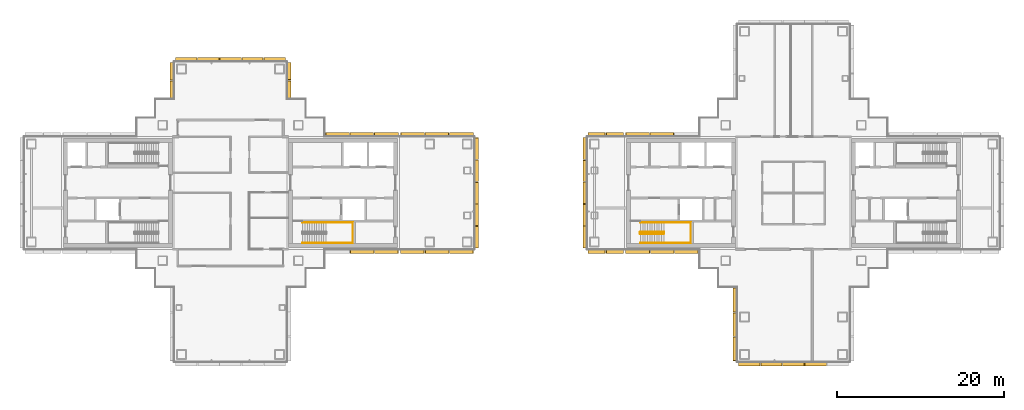
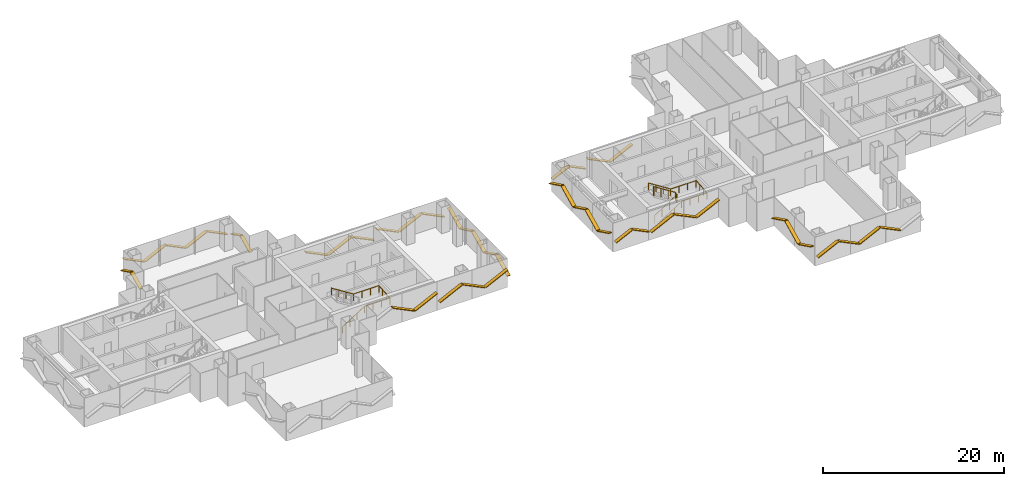
# One storey, part 15 of 16: 46 shading devices, 3 railings.
"""IFC4 building model written with IfcOpenShell, lengths in metres."""

from ifc_helpers import new_model, si_unit, direction, frame, origin, origin_2d, place, context, subcontext, project, spatial, rectangle, circle, extrude, material, material_profile, profile_set, type_object, element, save


model = new_model("IFC4")

# Units and contexts
model_context = context("Model", 3, precision=1e-05, world=origin(), true_north=direction((0.0, 1.0)))
body_context = subcontext(model_context, "Body", "Model", "MODEL_VIEW")
ifc_project = project(units=[si_unit("LENGTHUNIT", "METRE"), si_unit("AREAUNIT", "SQUARE_METRE"), si_unit("VOLUMEUNIT", "CUBIC_METRE"), si_unit("PLANEANGLEUNIT", "RADIAN"), si_unit("MASSUNIT", "GRAM", prefix="KILO")], contexts=[model_context])

# Site, building, storey
site_placement = place(None, origin())
site = spatial("IfcSite", under=ifc_project, at=site_placement, CompositionType="ELEMENT")
building_placement = place(site_placement, origin())
building = spatial("IfcBuilding", under=site, at=building_placement, Name="Shamsa Quay Exchange Towers", CompositionType="ELEMENT")
storey_placement = place(building_placement, frame((0.0, 0.0, 146.699951171875)))
storey = spatial("IfcBuildingStorey", under=building, at=storey_placement, Name="L34", CompositionType="ELEMENT", Elevation=146.699951171875)

# Shading devices
ifc_material_1 = material(Name="Aluminium EN AW-6063 T6, black anodised", Category="aluminium")
ifc_material_profile = material_profile(ifc_material_1, rectangle(XDim=0.449951171875, YDim=0.10009765625, at=origin_2d()), Name="FIN450x100")
ifc_profile_set = profile_set([ifc_material_profile], Name="Aluminium EN AW-6063 T6, black anodised")
shading_device_type = type_object("IfcShadingDeviceType", Name="FIN 450x100 BLACK ALUMINIUM", PredefinedType="USERDEFINED", material=ifc_profile_set)
shading_device_1_placement = place(storey_placement, frame((-19.374755859375, -7.01904296875, 2.27978515625), z_axis=(0.898807785805, 0.0, -0.438342975507), x_axis=(0.0, 1.0, 0.0)))
element("IfcShadingDevice", 1, at=shading_device_1_placement, inside=storey, type_object=shading_device_type, Name="FIN T1 chevron rib", ObjectType="FIN", PredefinedType="USERDEFINED", context=body_context, shape_type="SweptSolid", body=[
    extrude(rectangle(XDim=0.449951171875, YDim=0.10009765625, at=origin_2d()), origin(), (0.0, 0.0, 1.0), 3.10107421875),
])
shading_device_2_placement = place(storey_placement, frame((-16.4873046875, -7.01904296875, 0.908203125), z_axis=(0.898807091918, 0.0, 0.438344398296), x_axis=(0.0, 1.0, 0.0)))
element("IfcShadingDevice", 2, at=shading_device_2_placement, inside=storey, type_object=shading_device_type, Name="FIN T1 chevron rib", ObjectType="FIN", PredefinedType="USERDEFINED", context=body_context, shape_type="SweptSolid", body=[
    extrude(rectangle(XDim=0.449951171875, YDim=0.10009765625, at=origin_2d()), origin(), (0.0, 0.0, 1.0), 3.15673828125),
])
shading_device_3_placement = place(storey_placement, frame((-13.35009765625, -7.014892578125, 0.905029296875), z_axis=(0.898787683167, 0.0, 0.438384192903), x_axis=(0.0, 1.0, 0.0)))
element("IfcShadingDevice", 3, at=shading_device_3_placement, inside=storey, type_object=shading_device_type, Name="FIN T1 chevron rib", ObjectType="FIN", PredefinedType="USERDEFINED", context=body_context, shape_type="SweptSolid", body=[
    extrude(rectangle(XDim=0.449951171875, YDim=0.10009765625, at=origin_2d()), origin(), (0.0, 0.0, 1.0), 3.171142578125),
])
shading_device_4_placement = place(storey_placement, frame((-10.39990234375, -7.014892578125, 2.282958984375), z_axis=(0.898772964899, 0.0, -0.438414367427), x_axis=(0.0, 1.0, 0.0)))
element("IfcShadingDevice", 4, at=shading_device_4_placement, inside=storey, type_object=shading_device_type, Name="FIN T1 chevron rib", ObjectType="FIN", PredefinedType="USERDEFINED", context=body_context, shape_type="SweptSolid", body=[
    extrude(rectangle(XDim=0.449951171875, YDim=0.10009765625, at=origin_2d()), origin(), (0.0, 0.0, 1.0), 3.115234375),
])
shading_device_5_placement = place(storey_placement, frame((-7.5, -7.014892578125, 0.905029296875), z_axis=(0.898787683167, 0.0, 0.438384192903), x_axis=(0.0, 1.0, 0.0)))
element("IfcShadingDevice", 5, at=shading_device_5_placement, inside=storey, type_object=shading_device_type, Name="FIN T1 chevron rib", ObjectType="FIN", PredefinedType="USERDEFINED", context=body_context, shape_type="SweptSolid", body=[
    extrude(rectangle(XDim=0.449951171875, YDim=0.10009765625, at=origin_2d()), origin(), (0.0, 0.0, 1.0), 3.171142578125),
])
shading_device_6_placement = place(storey_placement, frame((-4.235107421875, -6.60009765625, 0.968505859375), z_axis=(0.0, 0.898805897141, 0.43834684813), x_axis=(-1.0, 0.0, 0.0)))
element("IfcShadingDevice", 6, at=shading_device_6_placement, inside=storey, type_object=shading_device_type, Name="FIN T1 chevron rib", ObjectType="FIN", PredefinedType="USERDEFINED", context=body_context, shape_type="SweptSolid", body=[
    extrude(rectangle(XDim=0.449951171875, YDim=0.10009765625, at=origin_2d()), origin(), (0.0, 0.0, 1.0), 2.881591796875),
])
shading_device_7_placement = place(storey_placement, frame((-4.235107421875, -3.909912109375, 2.219482421875), z_axis=(0.0, 0.898790033474, -0.438379374204), x_axis=(-1.0, 0.0, 0.0)))
element("IfcShadingDevice", 7, at=shading_device_7_placement, inside=storey, type_object=shading_device_type, Name="FIN T1 chevron rib", ObjectType="FIN", PredefinedType="USERDEFINED", context=body_context, shape_type="SweptSolid", body=[
    extrude(rectangle(XDim=0.449951171875, YDim=0.10009765625, at=origin_2d()), origin(), (0.0, 0.0, 1.0), 2.82568359375),
])
shading_device_8_placement = place(storey_placement, frame((-4.235107421875, -1.27001953125, 0.980712890625), z_axis=(0.0, 0.898806635049, 0.438345335086), x_axis=(-1.0, 0.0, 0.0)))
element("IfcShadingDevice", 8, at=shading_device_8_placement, inside=storey, type_object=shading_device_type, Name="FIN T1 chevron rib", ObjectType="FIN", PredefinedType="USERDEFINED", context=body_context, shape_type="SweptSolid", body=[
    extrude(rectangle(XDim=0.449951171875, YDim=0.10009765625, at=origin_2d()), origin(), (0.0, 0.0, 1.0), 2.825927734375),
])
shading_device_9_placement = place(storey_placement, frame((-4.235107421875, 1.3701171875, 2.219482421875), z_axis=(0.0, 0.898790033474, -0.438379374204), x_axis=(-1.0, 0.0, 0.0)))
element("IfcShadingDevice", 9, at=shading_device_9_placement, inside=storey, type_object=shading_device_type, Name="FIN T1 chevron rib", ObjectType="FIN", PredefinedType="USERDEFINED", context=body_context, shape_type="SweptSolid", body=[
    extrude(rectangle(XDim=0.449951171875, YDim=0.10009765625, at=origin_2d()), origin(), (0.0, 0.0, 1.0), 2.82568359375),
])
shading_device_10_placement = place(storey_placement, frame((-4.235107421875, 4.010009765625, 0.968505859375), z_axis=(0.0, 0.898805897141, 0.43834684813), x_axis=(-1.0, 0.0, 0.0)))
element("IfcShadingDevice", 10, at=shading_device_10_placement, inside=storey, type_object=shading_device_type, Name="FIN T1 chevron rib", ObjectType="FIN", PredefinedType="USERDEFINED", context=body_context, shape_type="SweptSolid", body=[
    extrude(rectangle(XDim=0.449951171875, YDim=0.10009765625, at=origin_2d()), origin(), (0.0, 0.0, 1.0), 2.881591796875),
])
shading_device_11_placement = place(storey_placement, frame((-4.64990234375, 7.014892578125, 0.905029296875), z_axis=(-0.898787683167, 0.0, 0.438384192903), x_axis=(0.0, -1.0, 0.0)))
element("IfcShadingDevice", 11, at=shading_device_11_placement, inside=storey, type_object=shading_device_type, Name="FIN T1 chevron rib", ObjectType="FIN", PredefinedType="USERDEFINED", context=body_context, shape_type="SweptSolid", body=[
    extrude(rectangle(XDim=0.449951171875, YDim=0.10009765625, at=origin_2d()), origin(), (0.0, 0.0, 1.0), 3.171142578125),
])
shading_device_12_placement = place(storey_placement, frame((-7.60009765625, 7.014892578125, 2.282958984375), z_axis=(-0.898772964899, 0.0, -0.438414367427), x_axis=(0.0, -1.0, 0.0)))
element("IfcShadingDevice", 12, at=shading_device_12_placement, inside=storey, type_object=shading_device_type, Name="FIN T1 chevron rib", ObjectType="FIN", PredefinedType="USERDEFINED", context=body_context, shape_type="SweptSolid", body=[
    extrude(rectangle(XDim=0.449951171875, YDim=0.10009765625, at=origin_2d()), origin(), (0.0, 0.0, 1.0), 3.115234375),
])
for number, where, z_axis, x_axis, name in (
    (13, (-10.5, 7.014892578125, 0.905029296875), (-0.898787683167, 0.0, 0.438384192903), (0.0, -1.0, 0.0), "FIN T1 chevron rib"),
    (14, (-13.64990234375, 7.01904296875, 0.905029296875), (-0.898787683167, 0.0, 0.438384192903), (0.0, -1.0, 0.0), "FIN T1 chevron rib"),
):
    element("IfcShadingDevice", number, at=place(storey_placement, frame(where, z_axis=z_axis, x_axis=x_axis)), inside=storey, type_object=shading_device_type, Name=name, ObjectType="FIN", PredefinedType="USERDEFINED", context=body_context, shape_type="SweptSolid", body=[
        extrude(rectangle(XDim=0.449951171875, YDim=0.10009765625, at=origin_2d()), origin(), (0.0, 0.0, 1.0), 3.171142578125),
    ])
shading_device_13_placement = place(storey_placement, frame((-16.60009765625, 7.01904296875, 2.282958984375), z_axis=(-0.898772964899, 0.0, -0.438414367427), x_axis=(0.0, -1.0, 0.0)))
element("IfcShadingDevice", 15, at=shading_device_13_placement, inside=storey, type_object=shading_device_type, Name="FIN T1 chevron rib", ObjectType="FIN", PredefinedType="USERDEFINED", context=body_context, shape_type="SweptSolid", body=[
    extrude(rectangle(XDim=0.449951171875, YDim=0.10009765625, at=origin_2d()), origin(), (0.0, 0.0, 1.0), 3.115234375),
])
shading_device_14_placement = place(storey_placement, frame((-19.5, 7.01904296875, 0.905029296875), z_axis=(-0.898787683167, 0.0, 0.438384192903), x_axis=(0.0, -1.0, 0.0)))
element("IfcShadingDevice", 16, at=shading_device_14_placement, inside=storey, type_object=shading_device_type, Name="FIN T1 chevron rib", ObjectType="FIN", PredefinedType="USERDEFINED", context=body_context, shape_type="SweptSolid", body=[
    extrude(rectangle(XDim=0.449951171875, YDim=0.10009765625, at=origin_2d()), origin(), (0.0, 0.0, 1.0), 3.171142578125),
])
for number, where, z_axis, x_axis, name in (
    (17, (-26.735107421875, 11.43798828125, 1.104736328125), (0.0, 0.898770522295, 0.438419374861), (-1.0, 0.0, 0.0), "FIN T1 chevron rib"),
    (18, (-26.735107421875, 13.569091796875, 2.095458984375), (0.0, 0.898770522295, -0.438419374861), (-1.0, 0.0, 0.0), "FIN T1 chevron rib"),
):
    element("IfcShadingDevice", number, at=place(storey_placement, frame(where, z_axis=z_axis, x_axis=x_axis)), inside=storey, type_object=shading_device_type, Name=name, ObjectType="FIN", PredefinedType="USERDEFINED", context=body_context, shape_type="SweptSolid", body=[
        extrude(rectangle(XDim=0.449951171875, YDim=0.10009765625, at=origin_2d()), origin(), (0.0, 0.0, 1.0), 2.259765625),
    ])
shading_device_15_placement = place(storey_placement, frame((-27.14990234375, 16.014892578125, 0.968505859375), z_axis=(-0.898805897141, 0.0, 0.43834684813), x_axis=(0.0, -1.0, 0.0)))
element("IfcShadingDevice", 19, at=shading_device_15_placement, inside=storey, type_object=shading_device_type, Name="FIN T1 chevron rib", ObjectType="FIN", PredefinedType="USERDEFINED", context=body_context, shape_type="SweptSolid", body=[
    extrude(rectangle(XDim=0.449951171875, YDim=0.10009765625, at=origin_2d()), origin(), (0.0, 0.0, 1.0), 2.881591796875),
])
shading_device_16_placement = place(storey_placement, frame((-29.840087890625, 16.014892578125, 2.219482421875), z_axis=(-0.898790033474, 0.0, -0.438379374204), x_axis=(0.0, -1.0, 0.0)))
element("IfcShadingDevice", 20, at=shading_device_16_placement, inside=storey, type_object=shading_device_type, Name="FIN T1 chevron rib", ObjectType="FIN", PredefinedType="USERDEFINED", context=body_context, shape_type="SweptSolid", body=[
    extrude(rectangle(XDim=0.449951171875, YDim=0.10009765625, at=origin_2d()), origin(), (0.0, 0.0, 1.0), 2.82568359375),
])
shading_device_17_placement = place(storey_placement, frame((-32.47998046875, 16.014892578125, 0.980712890625), z_axis=(-0.898806635049, 0.0, 0.438345335086), x_axis=(0.0, -1.0, 0.0)))
element("IfcShadingDevice", 21, at=shading_device_17_placement, inside=storey, type_object=shading_device_type, Name="FIN T1 chevron rib", ObjectType="FIN", PredefinedType="USERDEFINED", context=body_context, shape_type="SweptSolid", body=[
    extrude(rectangle(XDim=0.449951171875, YDim=0.10009765625, at=origin_2d()), origin(), (0.0, 0.0, 1.0), 2.825927734375),
])
shading_device_18_placement = place(storey_placement, frame((-35.1201171875, 16.014892578125, 2.219482421875), z_axis=(-0.898790033474, 0.0, -0.438379374204), x_axis=(0.0, -1.0, 0.0)))
element("IfcShadingDevice", 22, at=shading_device_18_placement, inside=storey, type_object=shading_device_type, Name="FIN T1 chevron rib", ObjectType="FIN", PredefinedType="USERDEFINED", context=body_context, shape_type="SweptSolid", body=[
    extrude(rectangle(XDim=0.449951171875, YDim=0.10009765625, at=origin_2d()), origin(), (0.0, 0.0, 1.0), 2.82568359375),
])
shading_device_19_placement = place(storey_placement, frame((-37.760009765625, 16.014892578125, 0.968505859375), z_axis=(-0.898805897141, 0.0, 0.43834684813), x_axis=(0.0, -1.0, 0.0)))
element("IfcShadingDevice", 23, at=shading_device_19_placement, inside=storey, type_object=shading_device_type, Name="FIN T1 chevron rib", ObjectType="FIN", PredefinedType="USERDEFINED", context=body_context, shape_type="SweptSolid", body=[
    extrude(rectangle(XDim=0.449951171875, YDim=0.10009765625, at=origin_2d()), origin(), (0.0, 0.0, 1.0), 2.881591796875),
])
for number, where, z_axis, x_axis, name in (
    (24, (-40.764892578125, 15.60009765625, 1.10009765625), (0.0, -0.898814733754, 0.43832872868), (1.0, 0.0, 0.0), "FIN T1 chevron rib"),
    (25, (-40.764892578125, 13.449951171875, 2.099853515625), (0.0, -0.898814733754, -0.43832872868), (1.0, 0.0, 0.0), "FIN T1 chevron rib"),
):
    element("IfcShadingDevice", number, at=place(storey_placement, frame(where, z_axis=z_axis, x_axis=x_axis)), inside=storey, type_object=shading_device_type, Name=name, ObjectType="FIN", PredefinedType="USERDEFINED", context=body_context, shape_type="SweptSolid", body=[
        extrude(rectangle(XDim=0.449951171875, YDim=0.10009765625, at=origin_2d()), origin(), (0.0, 0.0, 1.0), 2.28076171875),
    ])
shading_device_20_placement = place(storey_placement, frame((19.374755859375, 7.01904296875, 2.27978515625), z_axis=(-0.898807785805, 0.0, -0.438342975507), x_axis=(0.0, -1.0, 0.0)))
element("IfcShadingDevice", 26, at=shading_device_20_placement, inside=storey, type_object=shading_device_type, Name="FIN T2 chevron rib", ObjectType="FIN", PredefinedType="USERDEFINED", context=body_context, shape_type="SweptSolid", body=[
    extrude(rectangle(XDim=0.449951171875, YDim=0.10009765625, at=origin_2d()), origin(), (0.0, 0.0, 1.0), 3.10107421875),
])
shading_device_21_placement = place(storey_placement, frame((16.4873046875, 7.01904296875, 0.908203125), z_axis=(-0.898807091918, 0.0, 0.438344398296), x_axis=(0.0, -1.0, 0.0)))
element("IfcShadingDevice", 27, at=shading_device_21_placement, inside=storey, type_object=shading_device_type, Name="FIN T2 chevron rib", ObjectType="FIN", PredefinedType="USERDEFINED", context=body_context, shape_type="SweptSolid", body=[
    extrude(rectangle(XDim=0.449951171875, YDim=0.10009765625, at=origin_2d()), origin(), (0.0, 0.0, 1.0), 3.15673828125),
])
for number, where, z_axis, x_axis, name in (
    (28, (13.35009765625, 7.014892578125, 1.10009765625), (-0.898814733754, 0.0, 0.43832872868), (0.0, -1.0, 0.0), "FIN T2 chevron rib"),
    (29, (11.199951171875, 7.014892578125, 2.099853515625), (-0.898814733754, 0.0, -0.43832872868), (0.0, -1.0, 0.0), "FIN T2 chevron rib"),
):
    element("IfcShadingDevice", number, at=place(storey_placement, frame(where, z_axis=z_axis, x_axis=x_axis)), inside=storey, type_object=shading_device_type, Name=name, ObjectType="FIN", PredefinedType="USERDEFINED", context=body_context, shape_type="SweptSolid", body=[
        extrude(rectangle(XDim=0.449951171875, YDim=0.10009765625, at=origin_2d()), origin(), (0.0, 0.0, 1.0), 2.28076171875),
    ])
shading_device_22_placement = place(storey_placement, frame((8.735107421875, 6.60009765625, 0.968505859375), z_axis=(0.0, -0.898805897141, 0.43834684813), x_axis=(1.0, 0.0, 0.0)))
element("IfcShadingDevice", 30, at=shading_device_22_placement, inside=storey, type_object=shading_device_type, Name="FIN T2 chevron rib", ObjectType="FIN", PredefinedType="USERDEFINED", context=body_context, shape_type="SweptSolid", body=[
    extrude(rectangle(XDim=0.449951171875, YDim=0.10009765625, at=origin_2d()), origin(), (0.0, 0.0, 1.0), 2.881591796875),
])
shading_device_23_placement = place(storey_placement, frame((8.735107421875, 3.909912109375, 2.219482421875), z_axis=(0.0, -0.898790033474, -0.438379374204), x_axis=(1.0, 0.0, 0.0)))
element("IfcShadingDevice", 31, at=shading_device_23_placement, inside=storey, type_object=shading_device_type, Name="FIN T2 chevron rib", ObjectType="FIN", PredefinedType="USERDEFINED", context=body_context, shape_type="SweptSolid", body=[
    extrude(rectangle(XDim=0.449951171875, YDim=0.10009765625, at=origin_2d()), origin(), (0.0, 0.0, 1.0), 2.82568359375),
])
shading_device_24_placement = place(storey_placement, frame((8.735107421875, 1.27001953125, 0.980712890625), z_axis=(0.0, -0.898806635049, 0.438345335086), x_axis=(1.0, 0.0, 0.0)))
element("IfcShadingDevice", 32, at=shading_device_24_placement, inside=storey, type_object=shading_device_type, Name="FIN T2 chevron rib", ObjectType="FIN", PredefinedType="USERDEFINED", context=body_context, shape_type="SweptSolid", body=[
    extrude(rectangle(XDim=0.449951171875, YDim=0.10009765625, at=origin_2d()), origin(), (0.0, 0.0, 1.0), 2.825927734375),
])
shading_device_25_placement = place(storey_placement, frame((8.735107421875, -1.3701171875, 2.219482421875), z_axis=(0.0, -0.898790033474, -0.438379374204), x_axis=(1.0, 0.0, 0.0)))
element("IfcShadingDevice", 33, at=shading_device_25_placement, inside=storey, type_object=shading_device_type, Name="FIN T2 chevron rib", ObjectType="FIN", PredefinedType="USERDEFINED", context=body_context, shape_type="SweptSolid", body=[
    extrude(rectangle(XDim=0.449951171875, YDim=0.10009765625, at=origin_2d()), origin(), (0.0, 0.0, 1.0), 2.82568359375),
])
shading_device_26_placement = place(storey_placement, frame((8.735107421875, -4.010009765625, 0.968505859375), z_axis=(0.0, -0.898805897141, 0.43834684813), x_axis=(1.0, 0.0, 0.0)))
element("IfcShadingDevice", 34, at=shading_device_26_placement, inside=storey, type_object=shading_device_type, Name="FIN T2 chevron rib", ObjectType="FIN", PredefinedType="USERDEFINED", context=body_context, shape_type="SweptSolid", body=[
    extrude(rectangle(XDim=0.449951171875, YDim=0.10009765625, at=origin_2d()), origin(), (0.0, 0.0, 1.0), 2.881591796875),
])
for number, where, z_axis, x_axis, name in (
    (35, (9.14990234375, -7.014892578125, 1.10009765625), (0.898814733754, 0.0, 0.43832872868), (0.0, 1.0, 0.0), "FIN T2 chevron rib"),
    (36, (11.300048828125, -7.014892578125, 2.099853515625), (0.898814733754, 0.0, -0.43832872868), (0.0, 1.0, 0.0), "FIN T2 chevron rib"),
):
    element("IfcShadingDevice", number, at=place(storey_placement, frame(where, z_axis=z_axis, x_axis=x_axis)), inside=storey, type_object=shading_device_type, Name=name, ObjectType="FIN", PredefinedType="USERDEFINED", context=body_context, shape_type="SweptSolid", body=[
        extrude(rectangle(XDim=0.449951171875, YDim=0.10009765625, at=origin_2d()), origin(), (0.0, 0.0, 1.0), 2.28076171875),
    ])
shading_device_27_placement = place(storey_placement, frame((13.64990234375, -7.01904296875, 0.905029296875), z_axis=(0.898787683167, 0.0, 0.438384192903), x_axis=(0.0, 1.0, 0.0)))
element("IfcShadingDevice", 37, at=shading_device_27_placement, inside=storey, type_object=shading_device_type, Name="FIN T2 chevron rib", ObjectType="FIN", PredefinedType="USERDEFINED", context=body_context, shape_type="SweptSolid", body=[
    extrude(rectangle(XDim=0.449951171875, YDim=0.10009765625, at=origin_2d()), origin(), (0.0, 0.0, 1.0), 3.171142578125),
])
shading_device_28_placement = place(storey_placement, frame((16.60009765625, -7.01904296875, 2.282958984375), z_axis=(0.898772964899, 0.0, -0.438414367427), x_axis=(0.0, 1.0, 0.0)))
element("IfcShadingDevice", 38, at=shading_device_28_placement, inside=storey, type_object=shading_device_type, Name="FIN T2 chevron rib", ObjectType="FIN", PredefinedType="USERDEFINED", context=body_context, shape_type="SweptSolid", body=[
    extrude(rectangle(XDim=0.449951171875, YDim=0.10009765625, at=origin_2d()), origin(), (0.0, 0.0, 1.0), 3.115234375),
])
shading_device_29_placement = place(storey_placement, frame((19.5, -7.01904296875, 0.905029296875), z_axis=(0.898787683167, 0.0, 0.438384192903), x_axis=(0.0, 1.0, 0.0)))
element("IfcShadingDevice", 39, at=shading_device_29_placement, inside=storey, type_object=shading_device_type, Name="FIN T2 chevron rib", ObjectType="FIN", PredefinedType="USERDEFINED", context=body_context, shape_type="SweptSolid", body=[
    extrude(rectangle(XDim=0.449951171875, YDim=0.10009765625, at=origin_2d()), origin(), (0.0, 0.0, 1.0), 3.171142578125),
])
shading_device_30_placement = place(storey_placement, frame((26.735107421875, -11.43798828125, 0.908203125), z_axis=(0.0, -0.898807091918, 0.438344398296), x_axis=(1.0, 0.0, 0.0)))
element("IfcShadingDevice", 40, at=shading_device_30_placement, inside=storey, type_object=shading_device_type, Name="FIN T2 chevron rib", ObjectType="FIN", PredefinedType="USERDEFINED", context=body_context, shape_type="SweptSolid", body=[
    extrude(rectangle(XDim=0.449951171875, YDim=0.10009765625, at=origin_2d()), origin(), (0.0, 0.0, 1.0), 3.15673828125),
])
shading_device_31_placement = place(storey_placement, frame((26.735107421875, -14.375244140625, 2.27978515625), z_axis=(0.0, -0.898807785805, -0.438342975507), x_axis=(1.0, 0.0, 0.0)))
element("IfcShadingDevice", 41, at=shading_device_31_placement, inside=storey, type_object=shading_device_type, Name="FIN T2 chevron rib", ObjectType="FIN", PredefinedType="USERDEFINED", context=body_context, shape_type="SweptSolid", body=[
    extrude(rectangle(XDim=0.449951171875, YDim=0.10009765625, at=origin_2d()), origin(), (0.0, 0.0, 1.0), 3.10107421875),
])
shading_device_32_placement = place(storey_placement, frame((26.735107421875, -17.2626953125, 0.908203125), z_axis=(0.0, -0.898807091918, 0.438344398296), x_axis=(1.0, 0.0, 0.0)))
element("IfcShadingDevice", 42, at=shading_device_32_placement, inside=storey, type_object=shading_device_type, Name="FIN T2 chevron rib", ObjectType="FIN", PredefinedType="USERDEFINED", context=body_context, shape_type="SweptSolid", body=[
    extrude(rectangle(XDim=0.449951171875, YDim=0.10009765625, at=origin_2d()), origin(), (0.0, 0.0, 1.0), 3.15673828125),
])
shading_device_33_placement = place(storey_placement, frame((27.14990234375, -20.514892578125, 0.968505859375), z_axis=(0.898805897141, 0.0, 0.43834684813), x_axis=(0.0, 1.0, 0.0)))
element("IfcShadingDevice", 43, at=shading_device_33_placement, inside=storey, type_object=shading_device_type, Name="FIN T2 chevron rib", ObjectType="FIN", PredefinedType="USERDEFINED", context=body_context, shape_type="SweptSolid", body=[
    extrude(rectangle(XDim=0.449951171875, YDim=0.10009765625, at=origin_2d()), origin(), (0.0, 0.0, 1.0), 2.881591796875),
])
shading_device_34_placement = place(storey_placement, frame((29.840087890625, -20.514892578125, 2.219482421875), z_axis=(0.898790033474, 0.0, -0.438379374204), x_axis=(0.0, 1.0, 0.0)))
element("IfcShadingDevice", 44, at=shading_device_34_placement, inside=storey, type_object=shading_device_type, Name="FIN T2 chevron rib", ObjectType="FIN", PredefinedType="USERDEFINED", context=body_context, shape_type="SweptSolid", body=[
    extrude(rectangle(XDim=0.449951171875, YDim=0.10009765625, at=origin_2d()), origin(), (0.0, 0.0, 1.0), 2.82568359375),
])
shading_device_35_placement = place(storey_placement, frame((32.47998046875, -20.514892578125, 0.980712890625), z_axis=(0.898806635049, 0.0, 0.438345335086), x_axis=(0.0, 1.0, 0.0)))
element("IfcShadingDevice", 45, at=shading_device_35_placement, inside=storey, type_object=shading_device_type, Name="FIN T2 chevron rib", ObjectType="FIN", PredefinedType="USERDEFINED", context=body_context, shape_type="SweptSolid", body=[
    extrude(rectangle(XDim=0.449951171875, YDim=0.10009765625, at=origin_2d()), origin(), (0.0, 0.0, 1.0), 2.825927734375),
])
shading_device_36_placement = place(storey_placement, frame((35.1201171875, -20.514892578125, 2.219482421875), z_axis=(0.898790033474, 0.0, -0.438379374204), x_axis=(0.0, 1.0, 0.0)))
element("IfcShadingDevice", 46, at=shading_device_36_placement, inside=storey, type_object=shading_device_type, Name="FIN T2 chevron rib", ObjectType="FIN", PredefinedType="USERDEFINED", context=body_context, shape_type="SweptSolid", body=[
    extrude(rectangle(XDim=0.449951171875, YDim=0.10009765625, at=origin_2d()), origin(), (0.0, 0.0, 1.0), 2.82568359375),
])

# Railings
ifc_material_2 = material(Name="Stainless steel", Category="steel")
railing_type_1 = type_object("IfcRailingType", Name="STAIR GUARD 1100", PredefinedType="GUARDRAIL", material=ifc_material_2)
railing_1_placement = place(storey_placement, frame((15.39990234375, -4.89990234375, 0.17724609375)))
element("IfcRailing", 47, at=railing_1_placement, inside=storey, type_object=railing_type_1, Name="L34 ST4 stair guard 1", PredefinedType="GUARDRAIL", context=body_context, shape_type="SweptSolid", body=[
    extrude(circle(Radius=0.02392578125, at=origin_2d()), frame((0.0, 0.0, 1.076171875), z_axis=(0.844908973607, 0.0, 0.534910110503), x_axis=(0.0, 1.0, 0.0)), (0.0, 0.0, 1.0), 3.31396484375),
    extrude(circle(Radius=0.02392578125, at=origin_2d()), frame((2.800048828125, 0.0, 2.8486328125), z_axis=(0.708833529934, 0.705375805398, 0.0), x_axis=(-0.705375805398, 0.708833529934, 0.0)), (0.0, 0.0, 1.0), 0.070556640625),
    extrude(circle(Radius=0.02392578125, at=origin_2d()), frame((2.85009765625, 0.0498046875, 2.8486328125), z_axis=(0.0, 1.0, 0.0), x_axis=(-1.0, 0.0, 0.0)), (0.0, 0.0, 1.0), 0.150146484375),
    extrude(circle(Radius=0.02392578125, at=origin_2d()), frame((2.85009765625, 0.199951171875, 2.8486328125), z_axis=(-0.261922500866, 0.261922500866, 0.928866625022), x_axis=(-0.707106781187, -0.707106781187, 0.0)), (0.0, 0.0, 1.0), 0.191162109375),
    extrude(circle(Radius=0.02392578125, at=origin_2d()), frame((2.800048828125, 0.25, 3.0263671875), z_axis=(-0.844908973607, 0.0, 0.534910110503), x_axis=(0.0, -1.0, 0.0)), (0.0, 0.0, 1.0), 3.31396484375),
    extrude(circle(Radius=0.02392578125, at=origin_2d()), frame((0.0, 0.25, 4.798828125), z_axis=(-0.24142163986, -0.970420317083, 0.0), x_axis=(0.970420317083, -0.24142163986, 0.0)), (0.0, 0.0, 1.0), 0.206298828125),
    extrude(circle(Radius=0.02392578125, at=origin_2d()), frame((-0.0498046875, 0.0498046875, 4.798828125), z_axis=(0.0, 1.0, 0.0), x_axis=(-1.0, 0.0, 0.0)), (0.0, 0.0, 1.0), 0.150146484375),
    extrude(circle(Radius=0.02099609375, at=origin_2d()), origin(), (0.0, 0.0, 1.0), 1.052001953125),
    extrude(circle(Radius=0.02099609375, at=origin_2d()), frame((0.933349609375, 0.0, 0.5908203125)), (0.0, 0.0, 1.0), 1.052001953125),
    extrude(circle(Radius=0.02099609375, at=origin_2d()), frame((1.86669921875, 0.0, 1.181884765625)), (0.0, 0.0, 1.0), 1.052001953125),
    extrude(circle(Radius=0.02099609375, at=origin_2d()), frame((2.800048828125, 0.0, 1.772705078125)), (0.0, 0.0, 1.0), 1.052001953125),
    extrude(circle(Radius=0.02099609375, at=origin_2d()), frame((2.85009765625, 0.0498046875, 1.772705078125)), (0.0, 0.0, 1.0), 1.052001953125),
    extrude(circle(Radius=0.02099609375, at=origin_2d()), frame((2.85009765625, 0.199951171875, 1.772705078125)), (0.0, 0.0, 1.0), 1.052001953125),
    extrude(circle(Radius=0.02099609375, at=origin_2d()), frame((2.800048828125, 0.25, 1.9501953125)), (0.0, 0.0, 1.0), 1.052001953125),
    extrude(circle(Radius=0.02099609375, at=origin_2d()), frame((1.86669921875, 0.25, 2.541015625)), (0.0, 0.0, 1.0), 1.052001953125),
    extrude(circle(Radius=0.02099609375, at=origin_2d()), frame((0.933349609375, 0.25, 3.132080078125)), (0.0, 0.0, 1.0), 1.052001953125),
    extrude(circle(Radius=0.02099609375, at=origin_2d()), frame((0.0, 0.25, 3.722900390625)), (0.0, 0.0, 1.0), 1.052001953125),
    extrude(circle(Radius=0.02099609375, at=origin_2d()), frame((-0.0498046875, 0.0498046875, 3.722900390625)), (0.0, 0.0, 1.0), 1.052001953125),
    extrude(circle(Radius=0.02099609375, at=origin_2d()), frame((-0.0498046875, 0.199951171875, 3.722900390625)), (0.0, 0.0, 1.0), 1.052001953125),
])
railing_type_2 = type_object("IfcRailingType", Name="STAIR HANDRAIL 900", PredefinedType="HANDRAIL", material=ifc_material_2)
railing_2_placement = place(storey_placement, frame((-25.10009765625, -6.0, 0.17724609375)))
element("IfcRailing", 48, at=railing_2_placement, inside=storey, type_object=railing_type_2, Name="L34 ST1 stair handrail 1", PredefinedType="HANDRAIL", context=body_context, shape_type="SweptSolid", body=[
    extrude(circle(Radius=0.02392578125, at=origin_2d()), frame((0.0, 0.0, 0.8759765625), z_axis=(0.844908973607, 0.0, 0.534910110503), x_axis=(0.0, 1.0, 0.0)), (0.0, 0.0, 1.0), 3.31396484375),
    extrude(circle(Radius=0.02392578125, at=origin_2d()), frame((2.800048828125, 0.0, 2.6484375), z_axis=(1.0, 0.0, 0.0), x_axis=(0.0, 1.0, 0.0)), (0.0, 0.0, 1.0), 3.25),
    extrude(circle(Radius=0.02392578125, at=origin_2d()), frame((6.050048828125, 0.0, 2.6484375), z_axis=(0.0, 0.997386041853, 0.072257065513), x_axis=(-1.0, 0.0, 0.0)), (0.0, 0.0, 1.0), 2.456298828125),
    extrude(circle(Radius=0.02392578125, at=origin_2d()), frame((6.050048828125, 2.449951171875, 2.826171875), z_axis=(-1.0, 0.0, 0.0), x_axis=(0.0, -1.0, 0.0)), (0.0, 0.0, 1.0), 3.25),
    extrude(circle(Radius=0.02392578125, at=origin_2d()), frame((2.800048828125, 2.449951171875, 2.826171875), z_axis=(-0.844908973607, 0.0, 0.534910110503), x_axis=(0.0, -1.0, 0.0)), (0.0, 0.0, 1.0), 3.31396484375),
    extrude(circle(Radius=0.02099609375, at=origin_2d()), origin(), (0.0, 0.0, 1.0), 0.851806640625),
    extrude(circle(Radius=0.02099609375, at=origin_2d()), frame((0.933349609375, 0.0, 0.5908203125)), (0.0, 0.0, 1.0), 0.851806640625),
    extrude(circle(Radius=0.02099609375, at=origin_2d()), frame((1.86669921875, 0.0, 1.181884765625)), (0.0, 0.0, 1.0), 0.851806640625),
    extrude(circle(Radius=0.02099609375, at=origin_2d()), frame((2.800048828125, 0.0, 1.772705078125)), (0.0, 0.0, 1.0), 0.851806640625),
    extrude(circle(Radius=0.02099609375, at=origin_2d()), frame((3.88330078125, 0.0, 1.772705078125)), (0.0, 0.0, 1.0), 0.851806640625),
    extrude(circle(Radius=0.02099609375, at=origin_2d()), frame((4.966796875, 0.0, 1.772705078125)), (0.0, 0.0, 1.0), 0.851806640625),
    extrude(circle(Radius=0.02099609375, at=origin_2d()), frame((6.050048828125, 0.0, 1.772705078125)), (0.0, 0.0, 1.0), 0.851806640625),
    extrude(circle(Radius=0.02099609375, at=origin_2d()), frame((6.050048828125, 0.816650390625, 1.831787109375)), (0.0, 0.0, 1.0), 0.851806640625),
    extrude(circle(Radius=0.02099609375, at=origin_2d()), frame((6.050048828125, 1.63330078125, 1.89111328125)), (0.0, 0.0, 1.0), 0.851806640625),
    extrude(circle(Radius=0.02099609375, at=origin_2d()), frame((6.050048828125, 2.449951171875, 1.9501953125)), (0.0, 0.0, 1.0), 0.851806640625),
    extrude(circle(Radius=0.02099609375, at=origin_2d()), frame((4.966796875, 2.449951171875, 1.9501953125)), (0.0, 0.0, 1.0), 0.851806640625),
    extrude(circle(Radius=0.02099609375, at=origin_2d()), frame((3.88330078125, 2.449951171875, 1.9501953125)), (0.0, 0.0, 1.0), 0.851806640625),
    extrude(circle(Radius=0.02099609375, at=origin_2d()), frame((2.800048828125, 2.449951171875, 1.9501953125)), (0.0, 0.0, 1.0), 0.851806640625),
    extrude(circle(Radius=0.02099609375, at=origin_2d()), frame((1.86669921875, 2.449951171875, 2.541015625)), (0.0, 0.0, 1.0), 0.851806640625),
    extrude(circle(Radius=0.02099609375, at=origin_2d()), frame((0.933349609375, 2.449951171875, 3.132080078125)), (0.0, 0.0, 1.0), 0.851806640625),
    extrude(circle(Radius=0.02099609375, at=origin_2d()), frame((0.0, 2.449951171875, 3.722900390625)), (0.0, 0.0, 1.0), 0.851806640625),
])
railing_3_placement = place(storey_placement, frame((15.39990234375, -6.0, 0.17724609375)))
element("IfcRailing", 49, at=railing_3_placement, inside=storey, type_object=railing_type_2, Name="L34 ST4 stair handrail 1", PredefinedType="HANDRAIL", context=body_context, shape_type="SweptSolid", body=[
    extrude(circle(Radius=0.02392578125, at=origin_2d()), frame((0.0, 0.0, 0.8759765625), z_axis=(0.844908973607, 0.0, 0.534910110503), x_axis=(0.0, 1.0, 0.0)), (0.0, 0.0, 1.0), 3.31396484375),
    extrude(circle(Radius=0.02392578125, at=origin_2d()), frame((2.800048828125, 0.0, 2.6484375), z_axis=(1.0, 0.0, 0.0), x_axis=(0.0, 1.0, 0.0)), (0.0, 0.0, 1.0), 3.25),
    extrude(circle(Radius=0.02392578125, at=origin_2d()), frame((6.050048828125, 0.0, 2.6484375), z_axis=(0.0, 0.997386041853, 0.072257065513), x_axis=(-1.0, 0.0, 0.0)), (0.0, 0.0, 1.0), 2.456298828125),
    extrude(circle(Radius=0.02392578125, at=origin_2d()), frame((6.050048828125, 2.449951171875, 2.826171875), z_axis=(-1.0, 0.0, 0.0), x_axis=(0.0, -1.0, 0.0)), (0.0, 0.0, 1.0), 3.25),
    extrude(circle(Radius=0.02392578125, at=origin_2d()), frame((2.800048828125, 2.449951171875, 2.826171875), z_axis=(-0.844908973607, 0.0, 0.534910110503), x_axis=(0.0, -1.0, 0.0)), (0.0, 0.0, 1.0), 3.31396484375),
    extrude(circle(Radius=0.02099609375, at=origin_2d()), origin(), (0.0, 0.0, 1.0), 0.851806640625),
    extrude(circle(Radius=0.02099609375, at=origin_2d()), frame((0.933349609375, 0.0, 0.5908203125)), (0.0, 0.0, 1.0), 0.851806640625),
    extrude(circle(Radius=0.02099609375, at=origin_2d()), frame((1.86669921875, 0.0, 1.181884765625)), (0.0, 0.0, 1.0), 0.851806640625),
    extrude(circle(Radius=0.02099609375, at=origin_2d()), frame((2.800048828125, 0.0, 1.772705078125)), (0.0, 0.0, 1.0), 0.851806640625),
    extrude(circle(Radius=0.02099609375, at=origin_2d()), frame((3.88330078125, 0.0, 1.772705078125)), (0.0, 0.0, 1.0), 0.851806640625),
    extrude(circle(Radius=0.02099609375, at=origin_2d()), frame((4.966796875, 0.0, 1.772705078125)), (0.0, 0.0, 1.0), 0.851806640625),
    extrude(circle(Radius=0.02099609375, at=origin_2d()), frame((6.050048828125, 0.0, 1.772705078125)), (0.0, 0.0, 1.0), 0.851806640625),
    extrude(circle(Radius=0.02099609375, at=origin_2d()), frame((6.050048828125, 0.816650390625, 1.831787109375)), (0.0, 0.0, 1.0), 0.851806640625),
    extrude(circle(Radius=0.02099609375, at=origin_2d()), frame((6.050048828125, 1.63330078125, 1.89111328125)), (0.0, 0.0, 1.0), 0.851806640625),
    extrude(circle(Radius=0.02099609375, at=origin_2d()), frame((6.050048828125, 2.449951171875, 1.9501953125)), (0.0, 0.0, 1.0), 0.851806640625),
    extrude(circle(Radius=0.02099609375, at=origin_2d()), frame((4.966796875, 2.449951171875, 1.9501953125)), (0.0, 0.0, 1.0), 0.851806640625),
    extrude(circle(Radius=0.02099609375, at=origin_2d()), frame((3.88330078125, 2.449951171875, 1.9501953125)), (0.0, 0.0, 1.0), 0.851806640625),
    extrude(circle(Radius=0.02099609375, at=origin_2d()), frame((2.800048828125, 2.449951171875, 1.9501953125)), (0.0, 0.0, 1.0), 0.851806640625),
    extrude(circle(Radius=0.02099609375, at=origin_2d()), frame((1.86669921875, 2.449951171875, 2.541015625)), (0.0, 0.0, 1.0), 0.851806640625),
    extrude(circle(Radius=0.02099609375, at=origin_2d()), frame((0.933349609375, 2.449951171875, 3.132080078125)), (0.0, 0.0, 1.0), 0.851806640625),
    extrude(circle(Radius=0.02099609375, at=origin_2d()), frame((0.0, 2.449951171875, 3.722900390625)), (0.0, 0.0, 1.0), 0.851806640625),
])

save(model, "model.ifc")
